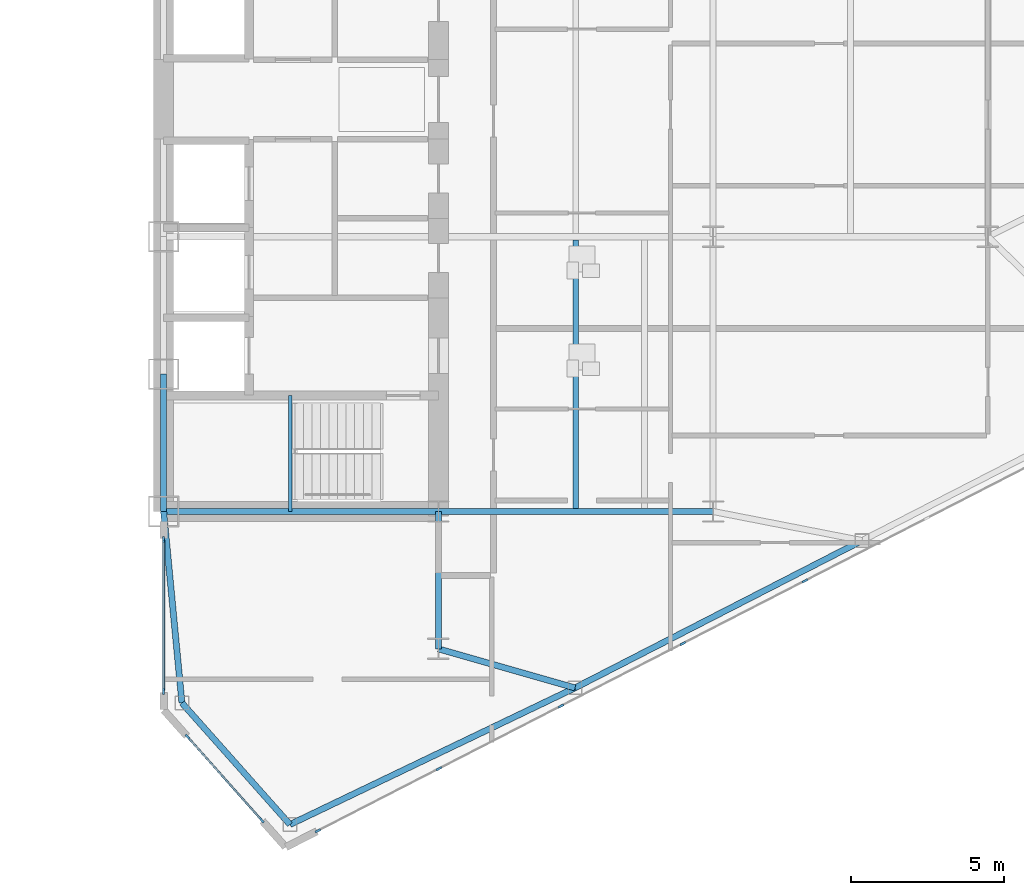
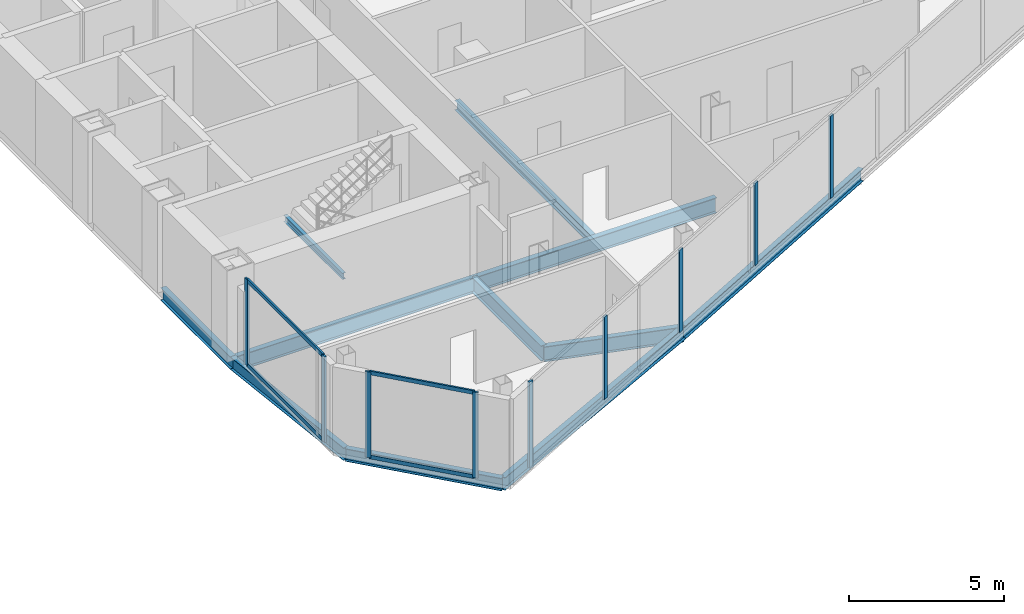
# One storey, part 8 of 24: 13 members, 11 beams, 3 elements without a shape of their own.
"""IFC4 building model written with IfcOpenShell, lengths in metres."""

from ifc_helpers import new_model, si_unit, direction, frame, origin, origin_2d, place, context, subcontext, project, spatial, rectangle, i_section, extrude, source, transform, mapped, material, layer, layer_set, material_profile, profile_set, type_object, type_shapes, element, aggregate, save


model = new_model("IFC4")

# Units and contexts
model_context = context("Model", 3, precision=1e-05, world=origin(), true_north=direction((0.0, 1.0)))
body_context = subcontext(model_context, "Body", "Model", "MODEL_VIEW")
ifc_project = project(units=[si_unit("LENGTHUNIT", "METRE"), si_unit("AREAUNIT", "SQUARE_METRE"), si_unit("VOLUMEUNIT", "CUBIC_METRE"), si_unit("PLANEANGLEUNIT", "RADIAN"), si_unit("MASSUNIT", "GRAM", prefix="KILO")], contexts=[model_context])

# Site, building, storey
site_placement = place(None, origin())
site = spatial("IfcSite", under=ifc_project, at=site_placement, CompositionType="ELEMENT")
building_placement = place(site_placement, origin())
building = spatial("IfcBuilding", under=site, at=building_placement, Name="Seokmaru Belvedere", CompositionType="ELEMENT")
storey_placement = place(building_placement, frame((0.0, 0.0, 114.0)))
storey = spatial("IfcBuildingStorey", under=building, at=storey_placement, Name="L30", CompositionType="ELEMENT", Elevation=114.0)

# Beams
ifc_material_1 = material(Name="Steel SM355 (355 MPa)", Category="steel")
ifc_material_profile_1 = material_profile(ifc_material_1, i_section(OverallWidth=0.199951171875, OverallDepth=0.5, WebThickness=0.010009765625, FlangeThickness=0.01611328125, at=origin_2d()), Name="H-500x200x10x16")
ifc_profile_set_1 = profile_set([ifc_material_profile_1], Name="Steel SM355 (355 MPa)")
beam_type_1 = type_object("IfcBeamType", Name="Perimeter Spandrel Beam H-500", PredefinedType="SPANDREL", material=ifc_profile_set_1)
shared_shape_1 = source(origin(), body_context, "Body", "SweptSolid", [
    extrude(i_section(OverallWidth=0.199951171875, OverallDepth=0.5, WebThickness=0.010009765625, FlangeThickness=0.01611328125, at=origin_2d()), origin(), (0.0, 0.0, 1.0), 4.5),
])
beam_1_placement = place(storey_placement, frame((27.5, -13.5, -0.469970703125), z_axis=(0.0, 1.0, 0.0), x_axis=(-1.0, 0.0, 0.0)))
element("IfcBeam", 1, at=beam_1_placement, inside=storey, type_object=beam_type_1, Name="L30 E Portal Spine Spandrel 1", PredefinedType="SPANDREL", context=body_context, shape_type="MappedRepresentation", body=[
    mapped(shared_shape_1, transform((0.0, 0.0, 0.0), scale=1.0)),
])
ifc_material_profile_2 = material_profile(ifc_material_1, i_section(OverallWidth=0.199951171875, OverallDepth=0.60009765625, WebThickness=0.010986328125, FlangeThickness=0.01708984375, at=origin_2d()), Name="H-600x200x11x17")
ifc_profile_set_2 = profile_set([ifc_material_profile_2], Name="Steel SM355 (355 MPa)")
beam_type_2 = type_object("IfcBeamType", Name="Primary Floor Girder H-600", PredefinedType="BEAM", material=ifc_profile_set_2)
shared_shape_2 = source(origin(), body_context, "Body", "SweptSolid", [
    extrude(i_section(OverallWidth=0.199951171875, OverallDepth=0.60009765625, WebThickness=0.010986328125, FlangeThickness=0.01708984375, at=origin_2d()), origin(), (0.0, 0.0, 1.0), 9.0),
])
for number, where, z_axis, x_axis, name in (
    (2, (27.5, -13.5, -0.52001953125), (1.0, 0.0, 0.0), (0.0, 1.0, 0.0), "L30 E Core Tie Girder 1"),
    (3, (36.5, -13.5, -0.52001953125), (1.0, 0.0, 0.0), (0.0, 1.0, 0.0), "L30 E Wing Primary Girder 1"),
):
    element("IfcBeam", number, at=place(storey_placement, frame(where, z_axis=z_axis, x_axis=x_axis)), inside=storey, type_object=beam_type_2, Name=name, PredefinedType="BEAM", context=body_context, shape_type="MappedRepresentation", body=[
        mapped(shared_shape_2, transform((0.0, 0.0, 0.0), scale=1.0)),
    ])
ifc_material_profile_3 = material_profile(ifc_material_1, i_section(OverallWidth=0.18505859375, OverallDepth=0.389892578125, WebThickness=0.008056640625, FlangeThickness=0.011962890625, at=origin_2d()), Name="H-390x185x8x12")
ifc_profile_set_3 = profile_set([ifc_material_profile_3], Name="Steel SM355 (355 MPa)")
beam_type_3 = type_object("IfcBeamType", Name="Secondary Floor Joist H-350", PredefinedType="JOIST", material=ifc_profile_set_3)
shared_shape_3 = source(origin(), body_context, "Body", "SweptSolid", [
    extrude(i_section(OverallWidth=0.18505859375, OverallDepth=0.389892578125, WebThickness=0.008056640625, FlangeThickness=0.011962890625, at=origin_2d()), origin(), (0.0, 0.0, 1.0), 8.7900390625),
])
type_shapes(beam_type_3, [shared_shape_3])
beam_2_placement = place(storey_placement, frame((41.0, -13.39501953125, -0.4150390625), z_axis=(0.0, 1.0, 0.0), x_axis=(-1.0, 0.0, 0.0)))
element("IfcBeam", 4, at=beam_2_placement, inside=storey, type_object=beam_type_3, Name="L30 E Secondary Floor Joist 1", PredefinedType="JOIST", context=body_context, shape_type="MappedRepresentation", body=[
    mapped(shared_shape_3, transform((0.0, 0.0, 0.0), scale=1.0)),
])
shared_shape_4 = source(origin(), body_context, "Body", "SweptSolid", [
    extrude(i_section(OverallWidth=0.199951171875, OverallDepth=0.60009765625, WebThickness=0.010986328125, FlangeThickness=0.01708984375, at=origin_2d()), origin(), (0.0, 0.0, 1.0), 4.5),
])
beam_3_placement = place(storey_placement, frame((36.5, -18.0, -0.52001953125), z_axis=(0.0, 1.0, 0.0), x_axis=(-1.0, 0.0, 0.0)))
element("IfcBeam", 5, at=beam_3_placement, inside=storey, type_object=beam_type_2, Name="L30 E Core Shoulder Girder S", PredefinedType="BEAM", context=body_context, shape_type="MappedRepresentation", body=[
    mapped(shared_shape_4, transform((0.0, 0.0, 0.0), scale=1.0)),
])
shared_shape_5 = source(origin(), body_context, "Body", "SweptSolid", [
    extrude(i_section(OverallWidth=0.199951171875, OverallDepth=0.5, WebThickness=0.010009765625, FlangeThickness=0.01611328125, at=origin_2d()), origin(), (0.0, 0.0, 1.0), 10.353759765625),
])
beam_4_placement = place(storey_placement, frame((31.6396484375, -23.75390625, -0.469970703125), z_axis=(0.901713202822, 0.432334708134, 0.0), x_axis=(-0.432334708134, 0.901713202822, 0.0)))
element("IfcBeam", 6, at=beam_4_placement, inside=storey, type_object=beam_type_1, Name="L30 E Faceted Flank Spandrel S-1", PredefinedType="SPANDREL", context=body_context, shape_type="MappedRepresentation", body=[
    mapped(shared_shape_5, transform((0.0, 0.0, 0.0), scale=1.0)),
])
shared_shape_6 = source(origin(), body_context, "Body", "SweptSolid", [
    extrude(i_section(OverallWidth=0.199951171875, OverallDepth=0.5, WebThickness=0.010009765625, FlangeThickness=0.01611328125, at=origin_2d()), origin(), (0.0, 0.0, 1.0), 10.56689453125),
])
beam_5_placement = place(storey_placement, frame((40.975830078125, -19.277587890625, -0.469970703125), z_axis=(0.889701972758, 0.45654178305, 0.0), x_axis=(-0.45654178305, 0.889701972758, 0.0)))
element("IfcBeam", 7, at=beam_5_placement, inside=storey, type_object=beam_type_1, Name="L30 E Faceted Flank Spandrel S-2", PredefinedType="SPANDREL", context=body_context, shape_type="MappedRepresentation", body=[
    mapped(shared_shape_6, transform((0.0, 0.0, 0.0), scale=1.0)),
])
shared_shape_7 = source(origin(), body_context, "Body", "SweptSolid", [
    extrude(i_section(OverallWidth=0.199951171875, OverallDepth=0.5, WebThickness=0.010009765625, FlangeThickness=0.01611328125, at=origin_2d()), origin(), (0.0, 0.0, 1.0), 5.32763671875),
])
beam_6_placement = place(storey_placement, frame((31.6396484375, -23.75390625, -0.469970703125), z_axis=(-0.66436952742, 0.74740426212, 0.0), x_axis=(-0.74740426212, -0.66436952742, 0.0)))
element("IfcBeam", 8, at=beam_6_placement, inside=storey, type_object=beam_type_1, Name="L30 E Shoulder Chamfer Spandrel S", PredefinedType="SPANDREL", context=body_context, shape_type="MappedRepresentation", body=[
    mapped(shared_shape_7, transform((0.0, 0.0, 0.0), scale=1.0)),
])
shared_shape_8 = source(origin(), body_context, "Body", "SweptSolid", [
    extrude(i_section(OverallWidth=0.199951171875, OverallDepth=0.5, WebThickness=0.010009765625, FlangeThickness=0.01611328125, at=origin_2d()), origin(), (0.0, 0.0, 1.0), 6.300537109375),
])
type_shapes(beam_type_1, [shared_shape_1, shared_shape_5, shared_shape_6, shared_shape_7, shared_shape_8])
beam_7_placement = place(storey_placement, frame((28.10009765625, -19.77197265625, -0.469970703125), z_axis=(-0.095244287992, 0.995453929424, 0.0), x_axis=(-0.995453929424, -0.095244287992, 0.0)))
element("IfcBeam", 9, at=beam_7_placement, inside=storey, type_object=beam_type_1, Name="L30 E Shoulder Spine Spandrel S", PredefinedType="SPANDREL", context=body_context, shape_type="MappedRepresentation", body=[
    mapped(shared_shape_8, transform((0.0, 0.0, 0.0), scale=1.0)),
])
shared_shape_9 = source(origin(), body_context, "Body", "SweptSolid", [
    extrude(i_section(OverallWidth=0.199951171875, OverallDepth=0.60009765625, WebThickness=0.010986328125, FlangeThickness=0.01708984375, at=origin_2d()), origin(), (0.0, 0.0, 1.0), 4.654541015625),
])
type_shapes(beam_type_2, [shared_shape_2, shared_shape_4, shared_shape_9])
beam_8_placement = place(storey_placement, frame((40.975830078125, -19.277587890625, -0.52001953125), z_axis=(-0.961593192625, 0.274478654721, 0.0), x_axis=(-0.274478654721, -0.961593192625, 0.0)))
element("IfcBeam", 10, at=beam_8_placement, inside=storey, type_object=beam_type_2, Name="L30 E Flank Radial Floor Girder S-1", PredefinedType="BEAM", context=body_context, shape_type="MappedRepresentation", body=[
    mapped(shared_shape_9, transform((0.0, 0.0, 0.0), scale=1.0)),
])

# Curtain wall, member
ifc_material_2 = material(Name="Bronze Triple Insulating Glass", Category="glass")
ifc_layer = layer(ifc_material_2, 0.195068359375)
ifc_layer_set = layer_set([ifc_layer], Name="Bronze Triple Insulating Glass")
curtain_wall_type = type_object("IfcCurtainWallType", Name="Sky-Lobby and Mid-Rise Curtain Wall System CW-4", PredefinedType="NOTDEFINED", material=ifc_layer_set)
curtain_wall_1_placement = place(storey_placement, origin())
curtain_wall_1 = element("IfcCurtainWall", 11, at=curtain_wall_1_placement, inside=storey, type_object=curtain_wall_type, Name="L30 Curtain Wall EF1", PredefinedType="NOTDEFINED")
ifc_material_3 = material(Name="Anodised Bronze Aluminium", Category="aluminium")
ifc_material_profile_4 = material_profile(ifc_material_3, rectangle(XDim=0.070068359375, YDim=0.195068359375, at=origin_2d()), Name="CW-M-70x195")
ifc_profile_set_4 = profile_set([ifc_material_profile_4], Name="Anodised Bronze Aluminium")
member_type_1 = type_object("IfcMemberType", Name="Bronze Unitised Mullion 70x195", PredefinedType="MULLION", material=ifc_profile_set_4)
shared_shape_10 = source(origin(), body_context, "Body", "SweptSolid", [
    extrude(rectangle(XDim=0.070068359375, YDim=0.195068359375, at=origin_2d()), origin(), (0.0, 0.0, 1.0), 3.3798828125),
])
member_1_placement = place(storey_placement, frame((32.55419921875, -23.958984375, 0.0), z_axis=(0.0, 0.0, 1.0), x_axis=(-0.456554528263, 0.889695432562, 0.0)))
member_1 = element("IfcMember", 12, at=member_1_placement, type_object=member_type_1, Name="CW:L30:EF1 Mullion 1", PredefinedType="MULLION", context=body_context, shape_type="MappedRepresentation", body=[
    mapped(shared_shape_10, transform((0.0, 0.0, 0.0), scale=1.0)),
])

# Curtain wall, members
curtain_wall_2_placement = place(storey_placement, origin())
curtain_wall_2 = element("IfcCurtainWall", 13, at=curtain_wall_2_placement, inside=storey, type_object=curtain_wall_type, Name="L30 Curtain Wall ESP_1", PredefinedType="NOTDEFINED")
member_2_placement = place(storey_placement, frame((27.5, -14.4150390625, 0.0), z_axis=(0.0, 0.0, 1.0), x_axis=(1.0, 0.0, 0.0)))
member_2 = element("IfcMember", 14, at=member_2_placement, type_object=member_type_1, Name="CW:L30:ESP_1 Mullion 1", PredefinedType="MULLION", context=body_context, shape_type="MappedRepresentation", body=[
    mapped(shared_shape_10, transform((0.0, 0.0, 0.0), scale=1.0)),
])
member_3_placement = place(storey_placement, frame((27.5, -19.39501953125, 0.0), z_axis=(0.0, 0.0, 1.0), x_axis=(1.0, 0.0, 0.0)))
member_3 = element("IfcMember", 15, at=member_3_placement, type_object=member_type_1, Name="CW:L30:ESP_1 Mullion 2", PredefinedType="MULLION", context=body_context, shape_type="MappedRepresentation", body=[
    mapped(shared_shape_10, transform((0.0, 0.0, 0.0), scale=1.0)),
])

curtain_wall_3_placement = place(storey_placement, origin())
curtain_wall_3 = element("IfcCurtainWall", 16, at=curtain_wall_3_placement, inside=storey, type_object=curtain_wall_type, Name="L30 Curtain Wall EF6", PredefinedType="NOTDEFINED")
member_4_placement = place(storey_placement, frame((28.287353515625, -20.8857421875, 0.0), z_axis=(0.0, 0.0, 1.0), x_axis=(0.747409774804, 0.664363325694, 0.0)))
member_4 = element("IfcMember", 17, at=member_4_placement, type_object=member_type_1, Name="CW:L30:EF6 Mullion 1", PredefinedType="MULLION", context=body_context, shape_type="MappedRepresentation", body=[
    mapped(shared_shape_10, transform((0.0, 0.0, 0.0), scale=1.0)),
])
member_5_placement = place(storey_placement, frame((30.712646484375, -23.6142578125, 0.0), z_axis=(0.0, 0.0, 1.0), x_axis=(0.747409774804, 0.664363325694, 0.0)))
member_5 = element("IfcMember", 18, at=member_5_placement, type_object=member_type_1, Name="CW:L30:EF6 Mullion 2", PredefinedType="MULLION", context=body_context, shape_type="MappedRepresentation", body=[
    mapped(shared_shape_10, transform((0.0, 0.0, 0.0), scale=1.0)),
])

# Member
ifc_material_profile_5 = material_profile(ifc_material_3, rectangle(XDim=0.06494140625, YDim=0.14990234375, at=origin_2d()), Name="CW-T-65x150")
ifc_profile_set_5 = profile_set([ifc_material_profile_5], Name="Anodised Bronze Aluminium")
member_type_2 = type_object("IfcMemberType", Name="Bronze Unitised Transom 65x150", PredefinedType="USERDEFINED", material=ifc_profile_set_5)
shared_shape_11 = source(origin(), body_context, "Body", "SweptSolid", [
    extrude(rectangle(XDim=0.06494140625, YDim=0.14990234375, at=origin_2d()), origin(), (0.0, 0.0, 1.0), 4.91015625),
])
member_6_placement = place(storey_placement, frame((27.5, -14.449951171875, 0.032470703125), z_axis=(0.0, -1.0, 0.0), x_axis=(1.0, 0.0, 0.0)))
member_6 = element("IfcMember", 19, at=member_6_placement, type_object=member_type_2, Name="CW:L30:ESP_1 Continuous Transom 1", ObjectType="TRANSOM", PredefinedType="USERDEFINED", context=body_context, shape_type="MappedRepresentation", body=[
    mapped(shared_shape_11, transform((0.0, 0.0, 0.0), scale=1.0)),
])

member_7_placement = place(storey_placement, frame((27.5, -14.449951171875, 3.347412109375), z_axis=(0.0, -1.0, 0.0), x_axis=(1.0, 0.0, 0.0)))
member_7 = element("IfcMember", 20, at=member_7_placement, type_object=member_type_2, Name="CW:L30:ESP_1 Continuous Transom 2", ObjectType="TRANSOM", PredefinedType="USERDEFINED", context=body_context, shape_type="MappedRepresentation", body=[
    mapped(shared_shape_11, transform((0.0, 0.0, 0.0), scale=1.0)),
])

aggregate(curtain_wall_2, [member_2, member_3, member_6, member_7])

shared_shape_12 = source(origin(), body_context, "Body", "SweptSolid", [
    extrude(rectangle(XDim=0.06494140625, YDim=0.14990234375, at=origin_2d()), origin(), (0.0, 0.0, 1.0), 3.580810546875),
])
type_shapes(member_type_2, [shared_shape_11, shared_shape_12])
member_8_placement = place(storey_placement, frame((28.310546875, -20.911865234375, 0.032470703125), z_axis=(0.66436383883, -0.747409318684, 0.0), x_axis=(0.747409318684, 0.66436383883, 0.0)))
member_8 = element("IfcMember", 21, at=member_8_placement, type_object=member_type_2, Name="CW:L30:EF6 Continuous Transom 1", ObjectType="TRANSOM", PredefinedType="USERDEFINED", context=body_context, shape_type="MappedRepresentation", body=[
    mapped(shared_shape_12, transform((0.0, 0.0, 0.0), scale=1.0)),
])

member_9_placement = place(storey_placement, frame((28.310546875, -20.911865234375, 3.347412109375), z_axis=(0.66436383883, -0.747409318684, 0.0), x_axis=(0.747409318684, 0.66436383883, 0.0)))
member_9 = element("IfcMember", 22, at=member_9_placement, type_object=member_type_2, Name="CW:L30:EF6 Continuous Transom 2", ObjectType="TRANSOM", PredefinedType="USERDEFINED", context=body_context, shape_type="MappedRepresentation", body=[
    mapped(shared_shape_12, transform((0.0, 0.0, 0.0), scale=1.0)),
])

aggregate(curtain_wall_3, [member_4, member_5, member_8, member_9])

shared_shape_13 = source(origin(), body_context, "Body", "SweptSolid", [
    extrude(rectangle(XDim=0.070068359375, YDim=0.195068359375, at=origin_2d()), origin(), (0.0, 0.0, 1.0), 3.25),
])
type_shapes(member_type_1, [shared_shape_10, shared_shape_13])
member_10_placement = place(storey_placement, frame((36.51806640625, -21.925048828125, 0.06494140625), z_axis=(0.0, 0.0, 1.0), x_axis=(-0.456554528263, 0.889695432562, 0.0)))
member_10 = element("IfcMember", 23, at=member_10_placement, type_object=member_type_1, Name="CW:L30:EF1 Mullion 2", PredefinedType="MULLION", context=body_context, shape_type="MappedRepresentation", body=[
    mapped(shared_shape_13, transform((0.0, 0.0, 0.0), scale=1.0)),
])

member_11_placement = place(storey_placement, frame((40.5126953125, -19.875, 0.06494140625), z_axis=(0.0, 0.0, 1.0), x_axis=(-0.456554528263, 0.889695432562, 0.0)))
member_11 = element("IfcMember", 24, at=member_11_placement, type_object=member_type_1, Name="CW:L30:EF1 Mullion 3", PredefinedType="MULLION", context=body_context, shape_type="MappedRepresentation", body=[
    mapped(shared_shape_13, transform((0.0, 0.0, 0.0), scale=1.0)),
])

member_12_placement = place(storey_placement, frame((44.5078125, -17.824951171875, 0.06494140625), z_axis=(0.0, 0.0, 1.0), x_axis=(-0.456554528263, 0.889695432562, 0.0)))
member_12 = element("IfcMember", 25, at=member_12_placement, type_object=member_type_1, Name="CW:L30:EF1 Mullion 4", PredefinedType="MULLION", context=body_context, shape_type="MappedRepresentation", body=[
    mapped(shared_shape_13, transform((0.0, 0.0, 0.0), scale=1.0)),
])

member_13_placement = place(storey_placement, frame((48.502685546875, -15.77490234375, 0.06494140625), z_axis=(0.0, 0.0, 1.0), x_axis=(-0.456554528263, 0.889695432562, 0.0)))
member_13 = element("IfcMember", 26, at=member_13_placement, type_object=member_type_1, Name="CW:L30:EF1 Mullion 5", PredefinedType="MULLION", context=body_context, shape_type="MappedRepresentation", body=[
    mapped(shared_shape_13, transform((0.0, 0.0, 0.0), scale=1.0)),
])

aggregate(curtain_wall_1, [member_1, member_10, member_11, member_12, member_13])

# Beam
ifc_material_profile_6 = material_profile(ifc_material_1, i_section(OverallWidth=0.125, OverallDepth=0.25, WebThickness=0.006103515625, FlangeThickness=0.009033203125, at=origin_2d()), Name="H-250x125x6x9")
ifc_profile_set_6 = profile_set([ifc_material_profile_6], Name="Steel SM355 (355 MPa)")
beam_type_4 = type_object("IfcBeamType", Name="Stair Mid-Landing Support Beam H-250", PredefinedType="JOIST", material=ifc_profile_set_6)
shared_shape_14 = source(origin(), body_context, "Body", "SweptSolid", [
    extrude(i_section(OverallWidth=0.125, OverallDepth=0.25, WebThickness=0.006103515625, FlangeThickness=0.009033203125, at=origin_2d()), origin(), (0.0, 0.0, 1.0), 3.800048828125),
])
type_shapes(beam_type_4, [shared_shape_14])
beam_9_placement = place(storey_placement, frame((31.64990234375, -13.5, 1.47509765625), z_axis=(0.0, 1.0, 0.0), x_axis=(-1.0, 0.0, 0.0)))
element("IfcBeam", 27, at=beam_9_placement, inside=storey, type_object=beam_type_4, Name="L30 Stair ST-E1 Mid-Landing Support Beam 1", PredefinedType="JOIST", context=body_context, shape_type="MappedRepresentation", body=[
    mapped(shared_shape_14, transform((0.0, 0.0, 0.0), scale=1.0)),
])

save(model, "model.ifc")
